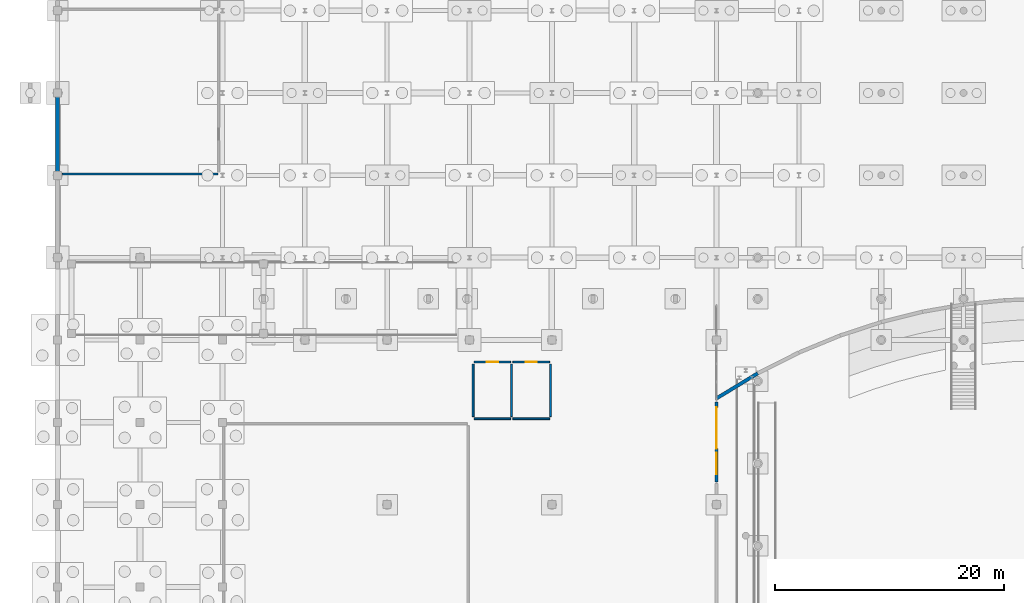
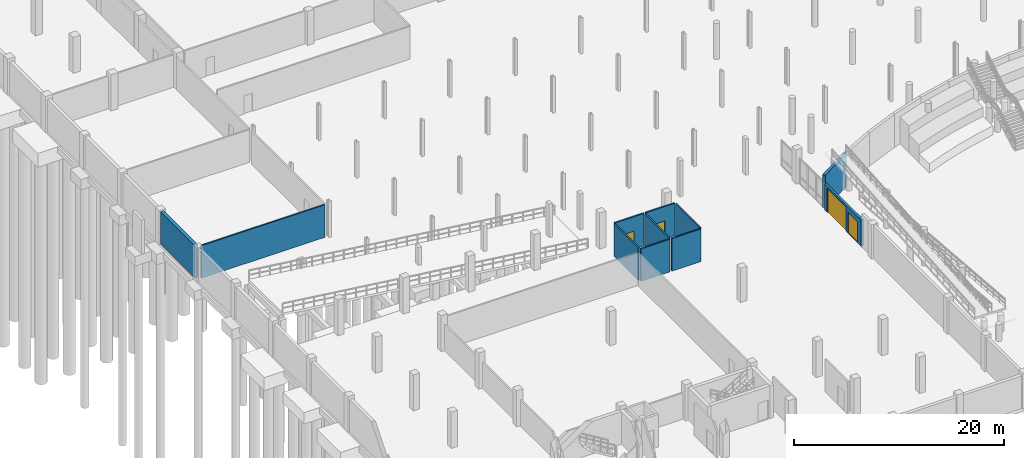
# One storey, part 40 of 56: 11 walls, 4 doors, 4 openings.
"""IFC4 building model written with IfcOpenShell, lengths in metres."""

from ifc_helpers import new_model, si_unit, direction, frame, frame_2d, origin, place, context, subcontext, project, spatial, rectangle, extrude, material, layer, layer_set, type_object, element, fill, save


model = new_model("IFC4")

# Units and contexts
model_context = context("Model", 3, precision=1e-05, world=origin(), true_north=direction((0.0, 1.0)))
body_context = subcontext(model_context, "Body", "Model", "MODEL_VIEW")
ifc_project = project(units=[si_unit("LENGTHUNIT", "METRE"), si_unit("AREAUNIT", "SQUARE_METRE"), si_unit("VOLUMEUNIT", "CUBIC_METRE"), si_unit("PLANEANGLEUNIT", "RADIAN"), si_unit("MASSUNIT", "GRAM", prefix="KILO")], contexts=[model_context])

# Site, building, storey
site_placement = place(None, origin())
site = spatial("IfcSite", under=ifc_project, at=site_placement, CompositionType="ELEMENT")
building_placement = place(site_placement, origin())
building = spatial("IfcBuilding", under=site, at=building_placement, Name="Suanplinth Sawtooth Commons", CompositionType="ELEMENT")
storey_placement = place(building_placement, frame((0.0, 0.0, -4.199951171875)))
storey = spatial("IfcBuildingStorey", under=building, at=storey_placement, Name="B1", CompositionType="ELEMENT", Elevation=-4.199951171875)

# Wall, openings, doors
ifc_material_1 = material(Name="Autoclaved aerated concrete masonry", Category="masonry")
ifc_layer_1 = layer(ifc_material_1, 0.25, Name="Rendered AAC tropical cavity wall 250mm")
ifc_layer_set_1 = layer_set([ifc_layer_1], Name="Autoclaved aerated concrete masonry")
wall_type_1 = type_object("IfcWallType", Name="W-EX04", PredefinedType="SOLIDWALL", material=ifc_layer_set_1)
wall_1_placement = place(storey_placement, frame((57.60009765625, 30.800048828125, 0.0), z_axis=(0.0, 0.0, 1.0), x_axis=(0.0, 1.0, 0.0)))
wall_1 = element("IfcWall", 1, at=wall_1_placement, inside=storey, type_object=wall_type_1, Name="Metro Transfer Foyer Entrance Portal Wall", PredefinedType="SOLIDWALL", context=body_context, shape_type="SweptSolid", body=[
    extrude(rectangle(XDim=7.0, YDim=0.25, at=frame_2d((3.5, 0.0))), origin(), (0.0, 0.0, 1.0), 3.050048828125),
])
opening_1_placement = place(wall_1_placement, frame((0.64990234375, 0.0, 0.0)))
opening_1 = element("IfcOpeningElement", 2, at=opening_1_placement, cuts=wall_1, Name="Opening ED0001", PredefinedType="OPENING", context=body_context, shape_type="SweptSolid", body=[
    extrude(rectangle(XDim=1.89990234375, YDim=2.449951171875, at=frame_2d((0.949951171875, 1.22509765625))), frame((0.0, 0.139892578125, 0.0), z_axis=(0.0, -1.0, 0.0), x_axis=(1.0, 0.0, 0.0)), (0.0, 0.0, 1.0), 0.27978515625),
])
opening_2_placement = place(wall_1_placement, frame((2.89990234375, 0.0, 0.0)))
opening_2 = element("IfcOpeningElement", 3, at=opening_2_placement, cuts=wall_1, Name="Opening G0002", PredefinedType="OPENING", context=body_context, shape_type="SweptSolid", body=[
    extrude(rectangle(XDim=3.60009765625, YDim=2.800048828125, at=frame_2d((1.800048828125, 1.39990234375))), frame((0.0, 0.139892578125, 0.0), z_axis=(0.0, -1.0, 0.0), x_axis=(1.0, 0.0, 0.0)), (0.0, 0.0, 1.0), 0.27978515625),
])
ifc_material_2 = material(Name="Anodized aluminium and laminated glass", Category="aluminium")
door_type_1 = type_object("IfcDoorType", Name="ED-03", OperationType="DOUBLE_DOOR_SINGLE_SWING", PredefinedType="DOOR", material=ifc_material_2)
door_1_placement = place(opening_1_placement, frame((1.89990234375, 0.0, 0.0), z_axis=(0.0, 0.0, 1.0), x_axis=(-1.0, 0.0, 0.0)))
door_1 = element("IfcDoor", 4, at=door_1_placement, inside=storey, type_object=door_type_1, Name="Metro Transfer Foyer Entrance Door", OperationType="DOUBLE_DOOR_SINGLE_SWING", OverallHeight=2.449951171875, OverallWidth=1.89990234375, PredefinedType="DOOR", context=body_context, shape_type="SweptSolid", body=[
    extrude(rectangle(XDim=1.89990234375, YDim=2.449951171875, at=frame_2d((0.949951171875, 1.22509765625))), frame((0.0, 0.02490234375, 0.0), z_axis=(0.0, -1.0, 0.0), x_axis=(1.0, 0.0, 0.0)), (0.0, 0.0, 1.0), 0.050048828125),
])
fill(opening_1, door_1)
ifc_material_3 = material(Name="Anodized aluminium security grille", Category="aluminium")
door_type_2 = type_object("IfcDoorType", Name="VG-03", OperationType="ROLLINGUP", PredefinedType="GATE", material=ifc_material_3)
door_2_placement = place(opening_2_placement, frame((3.60009765625, 0.0, 0.0), z_axis=(0.0, 0.0, 1.0), x_axis=(-1.0, 0.0, 0.0)))
door_2 = element("IfcDoor", 5, at=door_2_placement, inside=storey, type_object=door_type_2, Name="Metro Concourse Security Grille", OperationType="ROLLINGUP", OverallHeight=2.800048828125, OverallWidth=3.60009765625, PredefinedType="GATE", context=body_context, shape_type="SweptSolid", body=[
    extrude(rectangle(XDim=3.60009765625, YDim=2.800048828125, at=frame_2d((1.800048828125, 1.39990234375))), frame((0.0, 0.02490234375, 0.0), z_axis=(0.0, -1.0, 0.0), x_axis=(1.0, 0.0, 0.0)), (0.0, 0.0, 1.0), 0.050048828125),
])
fill(opening_2, door_2)

# Wall
ifc_material_4 = material(Name="Precast concrete C40/50", Category="concrete")
ifc_layer_2 = layer(ifc_material_4, 0.159912109375, Name="Fire-rated corridor and lobby wall 160mm")
ifc_layer_set_2 = layer_set([ifc_layer_2], Name="Precast concrete C40/50")
wall_type_2 = type_object("IfcWallType", Name="W-FW01", PredefinedType="PARTITIONING", material=ifc_layer_set_2)
wall_2_placement = place(storey_placement, frame((0.39990234375, 57.719970703125, 0.0), z_axis=(0.0, 0.0, 1.0), x_axis=(1.0, 0.0, 0.0)))
element("IfcWall", 6, at=wall_2_placement, inside=storey, type_object=wall_type_2, Name="W-B1-GEN-S", PredefinedType="PARTITIONING", context=body_context, shape_type="SweptSolid", body=[
    extrude(rectangle(XDim=13.60009765625, YDim=0.159912109375, at=frame_2d((6.800048828125, 0.0))), origin(), (0.0, 0.0, 1.0), 3.7900390625),
])

# Wall, opening, door
wall_3_placement = place(storey_placement, frame((36.39990234375, 41.280029296875, 0.0), z_axis=(0.0, 0.0, 1.0), x_axis=(1.0, 0.0, 0.0)))
wall_3 = element("IfcWall", 7, at=wall_3_placement, inside=storey, type_object=wall_type_2, Name="W-B1-WCM-N", PredefinedType="PARTITIONING", context=body_context, shape_type="SweptSolid", body=[
    extrude(rectangle(XDim=3.2001953125, YDim=0.159912109375, at=frame_2d((1.60009765625, 0.0))), origin(), (0.0, 0.0, 1.0), 3.7900390625),
])
opening_3_placement = place(wall_3_placement, frame((1.10009765625, 0.0, 0.0)))
opening_3 = element("IfcOpeningElement", 8, at=opening_3_placement, cuts=wall_3, Name="Opening D0436", PredefinedType="OPENING", context=body_context, shape_type="SweptSolid", body=[
    extrude(rectangle(XDim=1.0, YDim=2.10009765625, at=frame_2d((0.5, 1.050048828125))), frame((0.0, 0.0947265625, 0.0), z_axis=(0.0, -1.0, 0.0), x_axis=(1.0, 0.0, 0.0)), (0.0, 0.0, 1.0), 0.189697265625),
])
ifc_material_5 = material(Name="Teak hardwood", Category="wood")
door_type_3 = type_object("IfcDoorType", Name="D-04", OperationType="NOTDEFINED", PredefinedType="DOOR", material=ifc_material_5)
door_3_placement = place(opening_3_placement, frame((1.0, 0.0, 0.0), z_axis=(0.0, 0.0, 1.0), x_axis=(-1.0, 0.0, 0.0)))
door_3 = element("IfcDoor", 9, at=door_3_placement, inside=storey, type_object=door_type_3, Name="Basement Door D0436", OperationType="SINGLE_SWING_LEFT", OverallHeight=2.10009765625, OverallWidth=1.0, PredefinedType="DOOR", context=body_context, shape_type="SweptSolid", body=[
    extrude(rectangle(XDim=1.0, YDim=2.10009765625, at=frame_2d((0.5, 1.050048828125))), frame((0.0, 0.02490234375, 0.0), z_axis=(0.0, -1.0, 0.0), x_axis=(1.0, 0.0, 0.0)), (0.0, 0.0, 1.0), 0.050048828125),
])
fill(opening_3, door_3)

# Walls
wall_4_placement = place(storey_placement, frame((36.39990234375, 36.320068359375, 0.0), z_axis=(0.0, 0.0, 1.0), x_axis=(1.0, 0.0, 0.0)))
element("IfcWall", 10, at=wall_4_placement, inside=storey, type_object=wall_type_2, Name="W-B1-WCM-S", PredefinedType="PARTITIONING", context=body_context, shape_type="SweptSolid", body=[
    extrude(rectangle(XDim=3.2001953125, YDim=0.159912109375, at=frame_2d((1.60009765625, 0.0))), origin(), (0.0, 0.0, 1.0), 3.7900390625),
])
for number, where, z_axis, x_axis, name in (
    (11, (36.320068359375, 36.5, 0.0), (0.0, 0.0, 1.0), (0.0, 1.0, 0.0), "W-B1-WCM-W"),
    (12, (39.679931640625, 36.5, 0.0), (0.0, 0.0, 1.0), (0.0, 1.0, 0.0), "W-B1-WCM-E"),
):
    element("IfcWall", number, at=place(storey_placement, frame(where, z_axis=z_axis, x_axis=x_axis)), inside=storey, type_object=wall_type_2, Name=name, PredefinedType="PARTITIONING", context=body_context, shape_type="SweptSolid", body=[
        extrude(rectangle(XDim=4.60009765625, YDim=0.159912109375, at=frame_2d((2.300048828125, 0.0))), origin(), (0.0, 0.0, 1.0), 3.7900390625),
    ])

# Wall, opening, door
wall_5_placement = place(storey_placement, frame((39.800048828125, 41.280029296875, 0.0), z_axis=(0.0, 0.0, 1.0), x_axis=(1.0, 0.0, 0.0)))
wall_5 = element("IfcWall", 13, at=wall_5_placement, inside=storey, type_object=wall_type_2, Name="W-B1-WCAC-N", PredefinedType="PARTITIONING", context=body_context, shape_type="SweptSolid", body=[
    extrude(rectangle(XDim=3.199951171875, YDim=0.159912109375, at=frame_2d((1.60009765625, 0.0))), origin(), (0.0, 0.0, 1.0), 3.7900390625),
])
opening_4_placement = place(wall_5_placement, frame((1.10009765625, 0.0, 0.0)))
opening_4 = element("IfcOpeningElement", 14, at=opening_4_placement, cuts=wall_5, Name="Opening D0437", PredefinedType="OPENING", context=body_context, shape_type="SweptSolid", body=[
    extrude(rectangle(XDim=1.0, YDim=2.10009765625, at=frame_2d((0.5, 1.050048828125))), frame((0.0, 0.0947265625, 0.0), z_axis=(0.0, -1.0, 0.0), x_axis=(1.0, 0.0, 0.0)), (0.0, 0.0, 1.0), 0.189697265625),
])
door_4_placement = place(opening_4_placement, frame((1.0, 0.0, 0.0), z_axis=(0.0, 0.0, 1.0), x_axis=(-1.0, 0.0, 0.0)))
door_4 = element("IfcDoor", 15, at=door_4_placement, inside=storey, type_object=door_type_3, Name="Basement Door D0437", OperationType="SINGLE_SWING_RIGHT", OverallHeight=2.10009765625, OverallWidth=1.0, PredefinedType="DOOR", context=body_context, shape_type="SweptSolid", body=[
    extrude(rectangle(XDim=1.0, YDim=2.10009765625, at=frame_2d((0.5, 1.050048828125))), frame((0.0, 0.02490234375, 0.0), z_axis=(0.0, -1.0, 0.0), x_axis=(1.0, 0.0, 0.0)), (0.0, 0.0, 1.0), 0.050048828125),
])
fill(opening_4, door_4)

# Walls
wall_6_placement = place(storey_placement, frame((39.800048828125, 36.320068359375, 0.0), z_axis=(0.0, 0.0, 1.0), x_axis=(1.0, 0.0, 0.0)))
element("IfcWall", 16, at=wall_6_placement, inside=storey, type_object=wall_type_2, Name="W-B1-WCAC-S", PredefinedType="PARTITIONING", context=body_context, shape_type="SweptSolid", body=[
    extrude(rectangle(XDim=3.199951171875, YDim=0.159912109375, at=frame_2d((1.60009765625, 0.0))), origin(), (0.0, 0.0, 1.0), 3.7900390625),
])
wall_7_placement = place(storey_placement, frame((43.080078125, 36.5, 0.0), z_axis=(0.0, 0.0, 1.0), x_axis=(0.0, 1.0, 0.0)))
element("IfcWall", 17, at=wall_7_placement, inside=storey, type_object=wall_type_2, Name="W-B1-WCAC-E", PredefinedType="PARTITIONING", context=body_context, shape_type="SweptSolid", body=[
    extrude(rectangle(XDim=4.60009765625, YDim=0.159912109375, at=frame_2d((2.300048828125, 0.0))), origin(), (0.0, 0.0, 1.0), 3.7900390625),
])
ifc_material_6 = material(Name="Concrete C35/45", Category="concrete")
ifc_layer_3 = layer(ifc_material_6, 0.35009765625, Name="Basement perimeter RC retaining wall 350mm")
ifc_layer_set_3 = layer_set([ifc_layer_3], Name="Concrete C35/45")
wall_type_3 = type_object("IfcWallType", Name="W-RT01", PredefinedType="SOLIDWALL", material=ifc_layer_set_3)
wall_8_placement = place(storey_placement, frame((0.0, 57.949951171875, 0.0), z_axis=(0.0, 0.0, 1.0), x_axis=(0.0, 1.0, 0.0)))
element("IfcWall", 18, at=wall_8_placement, inside=storey, type_object=wall_type_3, Name="Basement West Plinth Retaining Wall Bay 9", PredefinedType="SOLIDWALL", context=body_context, shape_type="SweptSolid", body=[
    extrude(rectangle(XDim=6.5, YDim=0.35009765625, at=frame_2d((3.25, 0.0))), origin(), (0.0, 0.0, 1.0), 3.800048828125),
])
ifc_layer_4 = layer(ifc_material_6, 0.300048828125, Name="Sunken forecourt & plinth skirt RC wall 300mm")
ifc_layer_set_4 = layer_set([ifc_layer_4], Name="Concrete C35/45")
wall_type_4 = type_object("IfcWallType", Name="W-RT02", PredefinedType="SOLIDWALL", material=ifc_layer_set_4)
wall_9_placement = place(storey_placement, frame((57.60009765625, 38.095947265625, 0.0), z_axis=(0.0, 0.0, 1.0), x_axis=(0.854332789278, 0.519726356041, 0.0)))
element("IfcWall", 19, at=wall_9_placement, inside=storey, type_object=wall_type_4, Name="Forecourt Swept Retaining Arc 1", PredefinedType="SOLIDWALL", context=body_context, shape_type="SweptSolid", body=[
    extrude(rectangle(XDim=4.213623046875, YDim=0.300048828125, at=frame_2d((2.10693359375, 0.0))), origin(), (0.0, 0.0, 1.0), 3.849853515625),
])

save(model, "model.ifc")
